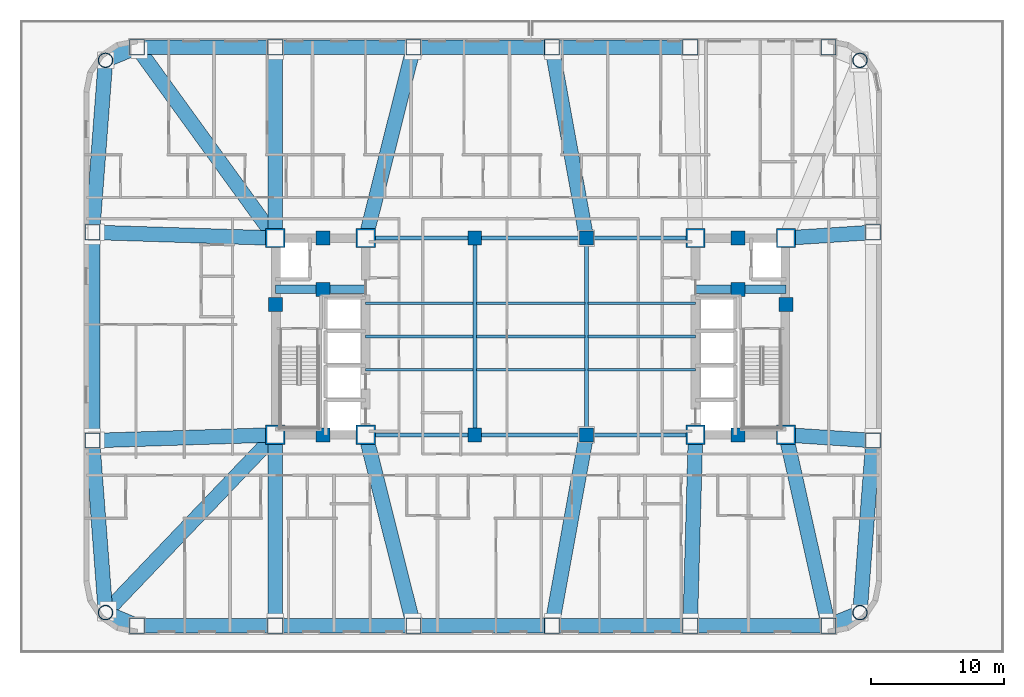
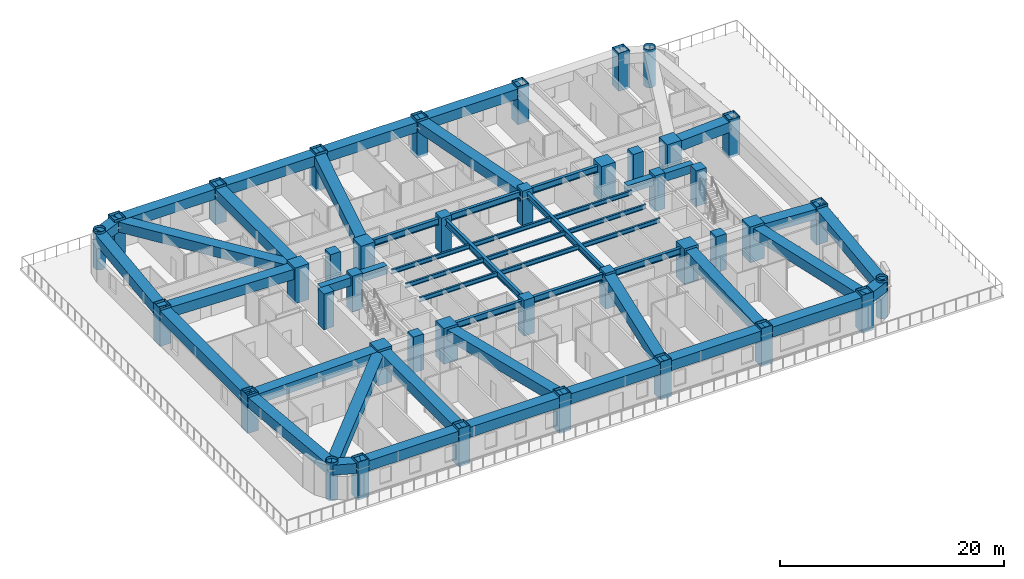
# One storey, part 1 of 15: 49 beams, 40 columns.
"""IFC4 building model written with IfcOpenShell, lengths in metres."""

from ifc_helpers import new_model, si_unit, direction, frame, origin, origin_2d, place, context, subcontext, project, spatial, rectangle, hollow_rectangle, hollow_circle, i_section, extrude, material, material_profile, profile_set, type_object, element, save


model = new_model("IFC4")

# Units and contexts
model_context = context("Model", 3, precision=1e-05, world=origin(), true_north=direction((0.0, 1.0)))
body_context = subcontext(model_context, "Body", "Model", "MODEL_VIEW")
ifc_project = project(units=[si_unit("LENGTHUNIT", "METRE"), si_unit("AREAUNIT", "SQUARE_METRE"), si_unit("VOLUMEUNIT", "CUBIC_METRE"), si_unit("PLANEANGLEUNIT", "RADIAN"), si_unit("MASSUNIT", "GRAM", prefix="KILO")], contexts=[model_context])

# Site, building, storey
site_placement = place(None, origin())
site = spatial("IfcSite", under=ifc_project, at=site_placement, CompositionType="ELEMENT")
building_placement = place(site_placement, origin())
building = spatial("IfcBuilding", under=site, at=building_placement, Name="Voryun Gate Residences", CompositionType="ELEMENT")
storey_placement = place(building_placement, frame((0.0, 0.0, 26.0)))
storey = spatial("IfcBuildingStorey", under=building, at=storey_placement, Name="L05", CompositionType="ELEMENT", Elevation=26.0)

# Columns
ifc_material_1 = material(Name="Concrete C50/60", Category="concrete")
ifc_material_profile_1 = material_profile(ifc_material_1, rectangle(XDim=1.050048828125, YDim=1.050048828125, at=origin_2d()), Name="RC-1050x1050")
ifc_profile_set_1 = profile_set([ifc_material_profile_1], Name="Concrete C50/60")
column_type_1 = type_object("IfcColumnType", Name="COL_CORE_1050", PredefinedType="COLUMN", material=ifc_profile_set_1)
for number, where, z_axis, x_axis, name in (
    (1, (-19.199951171875, 2.39990234375, 0.0), (0.0, 0.0, 1.0), (1.0, 0.0, 0.0), "L05 Core boundary column WC-MW"),
    (2, (-15.60009765625, -7.39990234375, 0.0), (0.0, 0.0, 1.0), (1.0, 0.0, 0.0), "L05 Core boundary column WC-SM"),
    (3, (-15.60009765625, 7.39990234375, 0.0), (0.0, 0.0, 1.0), (1.0, 0.0, 0.0), "L05 Core boundary column WC-NM"),
    (4, (-15.60009765625, 3.550048828125, 0.0), (0.0, 0.0, 1.0), (1.0, 0.0, 0.0), "L05 Core boundary column WC-MM"),
    (5, (15.60009765625, 3.550048828125, 0.0), (0.0, 0.0, 1.0), (1.0, 0.0, 0.0), "L05 Core boundary column EC-MM"),
    (6, (15.60009765625, -7.39990234375, 0.0), (0.0, 0.0, 1.0), (1.0, 0.0, 0.0), "L05 Core boundary column EC-SM"),
    (7, (15.60009765625, 7.39990234375, 0.0), (0.0, 0.0, 1.0), (1.0, 0.0, 0.0), "L05 Core boundary column EC-NM"),
    (8, (19.199951171875, 2.39990234375, 0.0), (0.0, 0.0, 1.0), (1.0, 0.0, 0.0), "L05 Core boundary column EC-ME"),
    (9, (-4.199951171875, -7.39990234375, 0.0), (0.0, 0.0, 1.0), (1.0, 0.0, 0.0), "L05 Interior spine column SP-WS"),
    (10, (-4.199951171875, 7.39990234375, 0.0), (0.0, 0.0, 1.0), (1.0, 0.0, 0.0), "L05 Interior spine column SP-WN"),
    (11, (4.199951171875, -7.39990234375, 0.0), (0.0, 0.0, 1.0), (1.0, 0.0, 0.0), "L05 Interior spine column SP-ES"),
    (12, (4.199951171875, 7.39990234375, 0.0), (0.0, 0.0, 1.0), (1.0, 0.0, 0.0), "L05 Interior spine column SP-EN"),
):
    element("IfcColumn", number, at=place(storey_placement, frame(where, z_axis=z_axis, x_axis=x_axis)), inside=storey, type_object=column_type_1, Name=name, PredefinedType="COLUMN", context=body_context, shape_type="SweptSolid", body=[
        extrude(rectangle(XDim=1.050048828125, YDim=1.050048828125, at=origin_2d()), origin(), (0.0, 0.0, 1.0), 3.89990234375),
    ])
ifc_material_2 = material(Name="Steel SM420", Category="steel")
ifc_material_profile_2 = material_profile(ifc_material_2, hollow_circle(Radius=0.550048828125, WallThickness=0.035888671875, at=origin_2d()), Name="CHS-1100x36")
ifc_profile_set_2 = profile_set([ifc_material_profile_2], Name="Steel SM420")
column_type_2 = type_object("IfcColumnType", Name="COL_CRN_1100", PredefinedType="COLUMN", material=ifc_profile_set_2)
for number, where, z_axis, x_axis, name in (
    (13, (24.768798828125, -20.768798828125, -0.25), (0.0, 0.0, 1.0), (1.0, 0.0, 0.0), "L05 Exoskeleton column CSE"),
    (14, (24.768798828125, 20.768798828125, -0.25), (0.0, 0.0, 1.0), (1.0, 0.0, 0.0), "L05 Exoskeleton column CNE"),
    (15, (-31.96875, 20.768798828125, -0.25), (0.0, 0.0, 1.0), (1.0, 0.0, 0.0), "L05 Exoskeleton column CNW"),
    (16, (-31.96875, -20.768798828125, -0.25), (0.0, 0.0, 1.0), (1.0, 0.0, 0.0), "L05 Exoskeleton column CSW"),
):
    element("IfcColumn", number, at=place(storey_placement, frame(where, z_axis=z_axis, x_axis=x_axis)), inside=storey, type_object=column_type_2, Name=name, PredefinedType="COLUMN", context=body_context, shape_type="SweptSolid", body=[
        extrude(hollow_circle(Radius=0.550048828125, WallThickness=0.035888671875, at=origin_2d()), origin(), (0.0, 0.0, 1.0), 4.14990234375),
    ])
ifc_material_3 = material(Name="Steel SM420", Category="steel")
ifc_material_profile_3 = material_profile(ifc_material_3, hollow_rectangle(XDim=1.14990234375, YDim=1.14990234375, WallThickness=0.0400390625, at=origin_2d()), Name="BOX-1150x1150x40")
ifc_profile_set_3 = profile_set([ifc_material_profile_3], Name="Steel SM420")
column_type_3 = type_object("IfcColumnType", Name="COL_EXO_B1", PredefinedType="COLUMN", material=ifc_profile_set_3)
for number, where, z_axis, x_axis, name in (
    (17, (-29.60009765625, -21.75, -0.25), (0.0, 0.0, 1.0), (1.0, 0.0, 0.0), "L05 Exoskeleton column S1"),
    (18, (-19.199951171875, -21.75, -0.25), (0.0, 0.0, 1.0), (1.0, 0.0, 0.0), "L05 Exoskeleton column S2"),
    (19, (-8.800048828125, -21.75, -0.25), (0.0, 0.0, 1.0), (1.0, 0.0, 0.0), "L05 Exoskeleton column S3"),
    (20, (1.60009765625, -21.75, -0.25), (0.0, 0.0, 1.0), (1.0, 0.0, 0.0), "L05 Exoskeleton column S4"),
    (21, (12.0, -21.75, -0.25), (0.0, 0.0, 1.0), (1.0, 0.0, 0.0), "L05 Exoskeleton column S5"),
    (22, (22.39990234375, -21.75, -0.25), (0.0, 0.0, 1.0), (1.0, 0.0, 0.0), "L05 Exoskeleton column S6"),
    (23, (25.75, -7.830078125, -0.25), (0.0, 0.0, 1.0), (1.0, 0.0, 0.0), "L05 Exoskeleton column E1"),
    (24, (25.75, 7.830078125, -0.25), (0.0, 0.0, 1.0), (1.0, 0.0, 0.0), "L05 Exoskeleton column E2"),
    (25, (22.39990234375, 21.75, -0.25), (0.0, 0.0, 1.0), (1.0, 0.0, 0.0), "L05 Exoskeleton column N1"),
    (26, (12.0, 21.75, -0.25), (0.0, 0.0, 1.0), (1.0, 0.0, 0.0), "L05 Exoskeleton column N2"),
    (27, (1.60009765625, 21.75, -0.25), (0.0, 0.0, 1.0), (1.0, 0.0, 0.0), "L05 Exoskeleton column N3"),
    (28, (-8.800048828125, 21.75, -0.25), (0.0, 0.0, 1.0), (1.0, 0.0, 0.0), "L05 Exoskeleton column N4"),
    (29, (-19.199951171875, 21.75, -0.25), (0.0, 0.0, 1.0), (1.0, 0.0, 0.0), "L05 Exoskeleton column N5"),
    (30, (-29.60009765625, 21.75, -0.25), (0.0, 0.0, 1.0), (1.0, 0.0, 0.0), "L05 Exoskeleton column N6"),
    (31, (-32.949951171875, 7.830078125, -0.25), (0.0, 0.0, 1.0), (1.0, 0.0, 0.0), "L05 Exoskeleton column W1"),
    (32, (-32.949951171875, -7.830078125, -0.25), (0.0, 0.0, 1.0), (1.0, 0.0, 0.0), "L05 Exoskeleton column W2"),
):
    element("IfcColumn", number, at=place(storey_placement, frame(where, z_axis=z_axis, x_axis=x_axis)), inside=storey, type_object=column_type_3, Name=name, PredefinedType="COLUMN", context=body_context, shape_type="SweptSolid", body=[
        extrude(hollow_rectangle(XDim=1.14990234375, YDim=1.14990234375, WallThickness=0.0400390625, at=origin_2d()), origin(), (0.0, 0.0, 1.0), 4.14990234375),
    ])
ifc_material_4 = material(Name="Concrete C60/75", Category="concrete")
ifc_material_profile_4 = material_profile(ifc_material_4, rectangle(XDim=1.449951171875, YDim=1.449951171875, at=origin_2d()), Name="RC-1450x1450")
ifc_profile_set_4 = profile_set([ifc_material_profile_4], Name="Concrete C60/75")
column_type_4 = type_object("IfcColumnType", Name="COL_MEGA_1450", PredefinedType="COLUMN", material=ifc_profile_set_4)
for number, where, z_axis, x_axis, name in (
    (33, (-19.199951171875, -7.39990234375, 0.0), (0.0, 0.0, 1.0), (1.0, 0.0, 0.0), "L05 Core boundary column WC-SW"),
    (34, (-19.199951171875, 7.39990234375, 0.0), (0.0, 0.0, 1.0), (1.0, 0.0, 0.0), "L05 Core boundary column WC-NW"),
    (35, (-12.39990234375, -7.39990234375, 0.0), (0.0, 0.0, 1.0), (1.0, 0.0, 0.0), "L05 Core boundary column WC-SE"),
    (36, (-12.39990234375, 7.39990234375, 0.0), (0.0, 0.0, 1.0), (1.0, 0.0, 0.0), "L05 Core boundary column WC-NE"),
    (37, (12.39990234375, -7.39990234375, 0.0), (0.0, 0.0, 1.0), (1.0, 0.0, 0.0), "L05 Core boundary column EC-SW"),
    (38, (12.39990234375, 7.39990234375, 0.0), (0.0, 0.0, 1.0), (1.0, 0.0, 0.0), "L05 Core boundary column EC-NW"),
    (39, (19.199951171875, -7.39990234375, 0.0), (0.0, 0.0, 1.0), (1.0, 0.0, 0.0), "L05 Core boundary column EC-SE"),
    (40, (19.199951171875, 7.39990234375, 0.0), (0.0, 0.0, 1.0), (1.0, 0.0, 0.0), "L05 Core boundary column EC-NE"),
):
    element("IfcColumn", number, at=place(storey_placement, frame(where, z_axis=z_axis, x_axis=x_axis)), inside=storey, type_object=column_type_4, Name=name, PredefinedType="COLUMN", context=body_context, shape_type="SweptSolid", body=[
        extrude(rectangle(XDim=1.449951171875, YDim=1.449951171875, at=origin_2d()), origin(), (0.0, 0.0, 1.0), 3.89990234375),
    ])

# Beams
ifc_material_5 = material(Name="Steel SM420", Category="steel")
ifc_material_profile_5 = material_profile(ifc_material_5, hollow_rectangle(XDim=1.10009765625, YDim=1.10009765625, WallThickness=0.035888671875, at=origin_2d()), Name="BOX-1100x1100x36")
ifc_profile_set_5 = profile_set([ifc_material_profile_5], Name="Steel SM420")
beam_type_1 = type_object("IfcBeamType", Name="BM_ARCH_RIB", PredefinedType="USERDEFINED", material=ifc_profile_set_5)
beam_1_placement = place(storey_placement, frame((-29.60009765625, -21.75, 3.10009765625), z_axis=(1.0, 0.0, 0.0), x_axis=(0.0, 1.0, 0.0)))
element("IfcBeam", 41, at=beam_1_placement, inside=storey, type_object=beam_type_1, Name="BM-L05-SPAND-01", ObjectType="GIRDER", PredefinedType="USERDEFINED", context=body_context, shape_type="SweptSolid", body=[
    extrude(hollow_rectangle(XDim=1.10009765625, YDim=1.10009765625, WallThickness=0.035888671875, at=origin_2d()), origin(), (0.0, 0.0, 1.0), 10.400146484375),
])
beam_2_placement = place(storey_placement, frame((-19.199951171875, -21.75, 3.10009765625), z_axis=(1.0, 0.0, 0.0), x_axis=(0.0, 1.0, 0.0)))
element("IfcBeam", 42, at=beam_2_placement, inside=storey, type_object=beam_type_1, Name="BM-L05-SPAND-02", ObjectType="GIRDER", PredefinedType="USERDEFINED", context=body_context, shape_type="SweptSolid", body=[
    extrude(hollow_rectangle(XDim=1.10009765625, YDim=1.10009765625, WallThickness=0.035888671875, at=origin_2d()), origin(), (0.0, 0.0, 1.0), 10.39990234375),
])
beam_3_placement = place(storey_placement, frame((-8.800048828125, -21.75, 3.10009765625), z_axis=(1.0, 0.0, 0.0), x_axis=(0.0, 1.0, 0.0)))
element("IfcBeam", 43, at=beam_3_placement, inside=storey, type_object=beam_type_1, Name="BM-L05-SPAND-03", ObjectType="GIRDER", PredefinedType="USERDEFINED", context=body_context, shape_type="SweptSolid", body=[
    extrude(hollow_rectangle(XDim=1.10009765625, YDim=1.10009765625, WallThickness=0.035888671875, at=origin_2d()), origin(), (0.0, 0.0, 1.0), 10.400146484375),
])
for number, where, z_axis, x_axis, name in (
    (44, (1.60009765625, -21.75, 3.10009765625), (1.0, 0.0, 0.0), (0.0, 1.0, 0.0), "BM-L05-SPAND-04"),
    (45, (12.0, -21.75, 3.10009765625), (1.0, 0.0, 0.0), (0.0, 1.0, 0.0), "BM-L05-SPAND-05"),
):
    element("IfcBeam", number, at=place(storey_placement, frame(where, z_axis=z_axis, x_axis=x_axis)), inside=storey, type_object=beam_type_1, Name=name, ObjectType="GIRDER", PredefinedType="USERDEFINED", context=body_context, shape_type="SweptSolid", body=[
        extrude(hollow_rectangle(XDim=1.10009765625, YDim=1.10009765625, WallThickness=0.035888671875, at=origin_2d()), origin(), (0.0, 0.0, 1.0), 10.39990234375),
    ])
beam_4_placement = place(storey_placement, frame((22.39990234375, -21.75, 3.10009765625), z_axis=(0.923883376753, 0.382674151414, 0.0), x_axis=(-0.382674151414, 0.923883376753, 0.0)))
element("IfcBeam", 46, at=beam_4_placement, inside=storey, type_object=beam_type_1, Name="BM-L05-SPAND-06", ObjectType="GIRDER", PredefinedType="USERDEFINED", context=body_context, shape_type="SweptSolid", body=[
    extrude(hollow_rectangle(XDim=1.10009765625, YDim=1.10009765625, WallThickness=0.035888671875, at=origin_2d()), origin(), (0.0, 0.0, 1.0), 2.56396484375),
])
beam_5_placement = place(storey_placement, frame((24.768798828125, -20.768798828125, 3.10009765625), z_axis=(0.075617360159, 0.997136908776, 0.0), x_axis=(-0.997136908776, 0.075617360159, 0.0)))
element("IfcBeam", 47, at=beam_5_placement, inside=storey, type_object=beam_type_1, Name="BM-L05-SPAND-07", ObjectType="GIRDER", PredefinedType="USERDEFINED", context=body_context, shape_type="SweptSolid", body=[
    extrude(hollow_rectangle(XDim=1.10009765625, YDim=1.10009765625, WallThickness=0.035888671875, at=origin_2d()), origin(), (0.0, 0.0, 1.0), 12.975830078125),
])
beam_6_placement = place(storey_placement, frame((12.0, 21.75, 3.10009765625), z_axis=(-1.0, 0.0, 0.0), x_axis=(0.0, -1.0, 0.0)))
element("IfcBeam", 48, at=beam_6_placement, inside=storey, type_object=beam_type_1, Name="BM-L05-SPAND-12", ObjectType="GIRDER", PredefinedType="USERDEFINED", context=body_context, shape_type="SweptSolid", body=[
    extrude(hollow_rectangle(XDim=1.10009765625, YDim=1.10009765625, WallThickness=0.035888671875, at=origin_2d()), origin(), (0.0, 0.0, 1.0), 10.39990234375),
])
beam_7_placement = place(storey_placement, frame((1.60009765625, 21.75, 3.10009765625), z_axis=(-1.0, 0.0, 0.0), x_axis=(0.0, -1.0, 0.0)))
element("IfcBeam", 49, at=beam_7_placement, inside=storey, type_object=beam_type_1, Name="BM-L05-SPAND-13", ObjectType="GIRDER", PredefinedType="USERDEFINED", context=body_context, shape_type="SweptSolid", body=[
    extrude(hollow_rectangle(XDim=1.10009765625, YDim=1.10009765625, WallThickness=0.035888671875, at=origin_2d()), origin(), (0.0, 0.0, 1.0), 10.400146484375),
])
beam_8_placement = place(storey_placement, frame((-8.800048828125, 21.75, 3.10009765625), z_axis=(-1.0, 0.0, 0.0), x_axis=(0.0, -1.0, 0.0)))
element("IfcBeam", 50, at=beam_8_placement, inside=storey, type_object=beam_type_1, Name="BM-L05-SPAND-14", ObjectType="GIRDER", PredefinedType="USERDEFINED", context=body_context, shape_type="SweptSolid", body=[
    extrude(hollow_rectangle(XDim=1.10009765625, YDim=1.10009765625, WallThickness=0.035888671875, at=origin_2d()), origin(), (0.0, 0.0, 1.0), 10.39990234375),
])
beam_9_placement = place(storey_placement, frame((-19.199951171875, 21.75, 3.10009765625), z_axis=(-1.0, 0.0, 0.0), x_axis=(0.0, -1.0, 0.0)))
element("IfcBeam", 51, at=beam_9_placement, inside=storey, type_object=beam_type_1, Name="BM-L05-SPAND-15", ObjectType="GIRDER", PredefinedType="USERDEFINED", context=body_context, shape_type="SweptSolid", body=[
    extrude(hollow_rectangle(XDim=1.10009765625, YDim=1.10009765625, WallThickness=0.035888671875, at=origin_2d()), origin(), (0.0, 0.0, 1.0), 10.400146484375),
])
beam_10_placement = place(storey_placement, frame((-29.60009765625, 21.75, 3.10009765625), z_axis=(-0.92386943149, -0.382707817477, 0.0), x_axis=(0.382707817477, -0.92386943149, 0.0)))
element("IfcBeam", 52, at=beam_10_placement, inside=storey, type_object=beam_type_1, Name="BM-L05-SPAND-16", ObjectType="GIRDER", PredefinedType="USERDEFINED", context=body_context, shape_type="SweptSolid", body=[
    extrude(hollow_rectangle(XDim=1.10009765625, YDim=1.10009765625, WallThickness=0.035888671875, at=origin_2d()), origin(), (0.0, 0.0, 1.0), 2.563720703125),
])
beam_11_placement = place(storey_placement, frame((-31.96875, 20.768798828125, 3.10009765625), z_axis=(-0.075617360159, -0.997136908776, 0.0), x_axis=(0.997136908776, -0.075617360159, 0.0)))
element("IfcBeam", 53, at=beam_11_placement, inside=storey, type_object=beam_type_1, Name="BM-L05-SPAND-17", ObjectType="GIRDER", PredefinedType="USERDEFINED", context=body_context, shape_type="SweptSolid", body=[
    extrude(hollow_rectangle(XDim=1.10009765625, YDim=1.10009765625, WallThickness=0.035888671875, at=origin_2d()), origin(), (0.0, 0.0, 1.0), 12.975830078125),
])
beam_12_placement = place(storey_placement, frame((-32.949951171875, 7.530029296875, 3.10009765625), z_axis=(0.0, -1.0, 0.0), x_axis=(1.0, 0.0, 0.0)))
element("IfcBeam", 54, at=beam_12_placement, inside=storey, type_object=beam_type_1, Name="BM-L05-SPAND-18", ObjectType="GIRDER", PredefinedType="USERDEFINED", context=body_context, shape_type="SweptSolid", body=[
    extrude(hollow_rectangle(XDim=1.10009765625, YDim=1.10009765625, WallThickness=0.035888671875, at=origin_2d()), origin(), (0.0, 0.0, 1.0), 15.06005859375),
])
beam_13_placement = place(storey_placement, frame((-32.949951171875, -7.830078125, 3.10009765625), z_axis=(0.075617360159, -0.997136908776, 0.0), x_axis=(0.997136908776, 0.075617360159, 0.0)))
element("IfcBeam", 55, at=beam_13_placement, inside=storey, type_object=beam_type_1, Name="BM-L05-SPAND-19", ObjectType="GIRDER", PredefinedType="USERDEFINED", context=body_context, shape_type="SweptSolid", body=[
    extrude(hollow_rectangle(XDim=1.10009765625, YDim=1.10009765625, WallThickness=0.035888671875, at=origin_2d()), origin(), (0.0, 0.0, 1.0), 12.975830078125),
])
beam_14_placement = place(storey_placement, frame((-31.96875, -20.768798828125, 3.10009765625), z_axis=(0.92386943149, -0.382707817477, 0.0), x_axis=(0.382707817477, 0.92386943149, 0.0)))
element("IfcBeam", 56, at=beam_14_placement, inside=storey, type_object=beam_type_1, Name="BM-L05-SPAND-20", ObjectType="GIRDER", PredefinedType="USERDEFINED", context=body_context, shape_type="SweptSolid", body=[
    extrude(hollow_rectangle(XDim=1.10009765625, YDim=1.10009765625, WallThickness=0.035888671875, at=origin_2d()), origin(), (0.0, 0.0, 1.0), 2.563720703125),
])
beam_15_placement = place(storey_placement, frame((-19.199951171875, -7.39990234375, 3.10009765625), z_axis=(0.0, -1.0, 0.0), x_axis=(1.0, 0.0, 0.0)))
element("IfcBeam", 57, at=beam_15_placement, inside=storey, type_object=beam_type_1, Name="BM-L05-RAD-S2", ObjectType="GIRDER", PredefinedType="USERDEFINED", context=body_context, shape_type="SweptSolid", body=[
    extrude(hollow_rectangle(XDim=1.10009765625, YDim=1.10009765625, WallThickness=0.035888671875, at=origin_2d()), origin(), (0.0, 0.0, 1.0), 14.050048828125),
])
beam_16_placement = place(storey_placement, frame((-12.39990234375, -7.39990234375, 3.10009765625), z_axis=(0.243320251576, -0.969946006318, 0.0), x_axis=(0.969946006318, 0.243320251576, 0.0)))
element("IfcBeam", 58, at=beam_16_placement, inside=storey, type_object=beam_type_1, Name="BM-L05-RAD-S3", ObjectType="GIRDER", PredefinedType="USERDEFINED", context=body_context, shape_type="SweptSolid", body=[
    extrude(hollow_rectangle(XDim=1.10009765625, YDim=1.10009765625, WallThickness=0.035888671875, at=origin_2d()), origin(), (0.0, 0.0, 1.0), 14.49462890625),
])
beam_17_placement = place(storey_placement, frame((4.199951171875, -7.39990234375, 3.10009765625), z_axis=(-0.178271724782, -0.983981296643, 0.0), x_axis=(0.983981296643, -0.178271724782, 0.0)))
element("IfcBeam", 59, at=beam_17_placement, inside=storey, type_object=beam_type_1, Name="BM-L05-RAD-S4", ObjectType="GIRDER", PredefinedType="USERDEFINED", context=body_context, shape_type="SweptSolid", body=[
    extrude(hollow_rectangle(XDim=1.10009765625, YDim=1.10009765625, WallThickness=0.035888671875, at=origin_2d()), origin(), (0.0, 0.0, 1.0), 14.28369140625),
])
beam_18_placement = place(storey_placement, frame((12.39990234375, -7.39990234375, 3.10009765625), z_axis=(-0.027860596984, -0.999611818225, 0.0), x_axis=(0.999611818225, -0.027860596984, 0.0)))
element("IfcBeam", 60, at=beam_18_placement, inside=storey, type_object=beam_type_1, Name="BM-L05-RAD-S5", ObjectType="GIRDER", PredefinedType="USERDEFINED", context=body_context, shape_type="SweptSolid", body=[
    extrude(hollow_rectangle(XDim=1.10009765625, YDim=1.10009765625, WallThickness=0.035888671875, at=origin_2d()), origin(), (0.0, 0.0, 1.0), 14.0556640625),
])
beam_19_placement = place(storey_placement, frame((19.199951171875, -7.39990234375, 3.10009765625), z_axis=(0.217651916462, -0.97602645623, 0.0), x_axis=(0.97602645623, 0.217651916462, 0.0)))
element("IfcBeam", 61, at=beam_19_placement, inside=storey, type_object=beam_type_1, Name="BM-L05-RAD-S6", ObjectType="GIRDER", PredefinedType="USERDEFINED", context=body_context, shape_type="SweptSolid", body=[
    extrude(hollow_rectangle(XDim=1.10009765625, YDim=1.10009765625, WallThickness=0.035888671875, at=origin_2d()), origin(), (0.0, 0.0, 1.0), 14.402587890625),
])
for number, where, z_axis, x_axis, name in (
    (62, (19.199951171875, -7.39990234375, 3.10009765625), (0.997850335415, -0.06553402255, 0.0), (0.06553402255, 0.997850335415, 0.0), "BM-L05-RAD-E1"),
    (63, (19.199951171875, 7.39990234375, 3.10009765625), (0.997850335415, 0.06553402255, 0.0), (-0.06553402255, 0.997850335415, 0.0), "BM-L05-RAD-E2"),
):
    element("IfcBeam", number, at=place(storey_placement, frame(where, z_axis=z_axis, x_axis=x_axis)), inside=storey, type_object=beam_type_1, Name=name, ObjectType="GIRDER", PredefinedType="USERDEFINED", context=body_context, shape_type="SweptSolid", body=[
        extrude(hollow_rectangle(XDim=1.10009765625, YDim=1.10009765625, WallThickness=0.035888671875, at=origin_2d()), origin(), (0.0, 0.0, 1.0), 6.564208984375),
    ])
beam_20_placement = place(storey_placement, frame((4.199951171875, 7.39990234375, 3.10009765625), z_axis=(-0.178271724782, 0.983981296643, 0.0), x_axis=(-0.983981296643, -0.178271724782, 0.0)))
element("IfcBeam", 64, at=beam_20_placement, inside=storey, type_object=beam_type_1, Name="BM-L05-RAD-N3", ObjectType="GIRDER", PredefinedType="USERDEFINED", context=body_context, shape_type="SweptSolid", body=[
    extrude(hollow_rectangle(XDim=1.10009765625, YDim=1.10009765625, WallThickness=0.035888671875, at=origin_2d()), origin(), (0.0, 0.0, 1.0), 14.28369140625),
])
beam_21_placement = place(storey_placement, frame((-12.39990234375, 7.39990234375, 3.10009765625), z_axis=(0.243320251576, 0.969946006318, 0.0), x_axis=(-0.969946006318, 0.243320251576, 0.0)))
element("IfcBeam", 65, at=beam_21_placement, inside=storey, type_object=beam_type_1, Name="BM-L05-RAD-N4", ObjectType="GIRDER", PredefinedType="USERDEFINED", context=body_context, shape_type="SweptSolid", body=[
    extrude(hollow_rectangle(XDim=1.10009765625, YDim=1.10009765625, WallThickness=0.035888671875, at=origin_2d()), origin(), (0.0, 0.0, 1.0), 14.49462890625),
])
beam_22_placement = place(storey_placement, frame((-19.199951171875, 7.39990234375, 3.10009765625), z_axis=(0.0, 1.0, 0.0), x_axis=(-1.0, 0.0, 0.0)))
element("IfcBeam", 66, at=beam_22_placement, inside=storey, type_object=beam_type_1, Name="BM-L05-RAD-N5", ObjectType="GIRDER", PredefinedType="USERDEFINED", context=body_context, shape_type="SweptSolid", body=[
    extrude(hollow_rectangle(XDim=1.10009765625, YDim=1.10009765625, WallThickness=0.035888671875, at=origin_2d()), origin(), (0.0, 0.0, 1.0), 14.050048828125),
])
beam_23_placement = place(storey_placement, frame((-19.199951171875, 7.39990234375, 3.10009765625), z_axis=(-0.586832772995, 0.809708155164, 0.0), x_axis=(-0.809708155164, -0.586832772995, 0.0)))
element("IfcBeam", 67, at=beam_23_placement, inside=storey, type_object=beam_type_1, Name="BM-L05-RAD-N6", ObjectType="GIRDER", PredefinedType="USERDEFINED", context=body_context, shape_type="SweptSolid", body=[
    extrude(hollow_rectangle(XDim=1.10009765625, YDim=1.10009765625, WallThickness=0.035888671875, at=origin_2d()), origin(), (0.0, 0.0, 1.0), 17.422607421875),
])
for number, where, z_axis, x_axis, name in (
    (68, (-19.199951171875, 7.39990234375, 3.10009765625), (-0.999511296973, 0.031259674085, 0.0), (-0.031259674085, -0.999511296973, 0.0), "BM-L05-RAD-W1"),
    (69, (-19.199951171875, -7.39990234375, 3.10009765625), (-0.999511296973, -0.031259674085, 0.0), (0.031259674085, -0.999511296973, 0.0), "BM-L05-RAD-W2"),
):
    element("IfcBeam", number, at=place(storey_placement, frame(where, z_axis=z_axis, x_axis=x_axis)), inside=storey, type_object=beam_type_1, Name=name, ObjectType="GIRDER", PredefinedType="USERDEFINED", context=body_context, shape_type="SweptSolid", body=[
        extrude(hollow_rectangle(XDim=1.10009765625, YDim=1.10009765625, WallThickness=0.035888671875, at=origin_2d()), origin(), (0.0, 0.0, 1.0), 13.456787109375),
    ])
beam_24_placement = place(storey_placement, frame((-19.199951171875, -7.39990234375, 3.10009765625), z_axis=(-0.69069122134, -0.723149802437, 0.0), x_axis=(0.723149802437, -0.69069122134, 0.0)))
element("IfcBeam", 70, at=beam_24_placement, inside=storey, type_object=beam_type_1, Name="BM-L05-RAD-CSW", ObjectType="GIRDER", PredefinedType="USERDEFINED", context=body_context, shape_type="SweptSolid", body=[
    extrude(hollow_rectangle(XDim=1.10009765625, YDim=1.10009765625, WallThickness=0.035888671875, at=origin_2d()), origin(), (0.0, 0.0, 1.0), 18.187255859375),
])
ifc_material_6 = material(Name="Concrete C60/75", Category="concrete")
ifc_material_profile_6 = material_profile(ifc_material_6, rectangle(XDim=0.64990234375, YDim=0.89990234375, at=origin_2d()), Name="RC-650x900")
ifc_profile_set_6 = profile_set([ifc_material_profile_6], Name="Concrete C60/75")
beam_type_2 = type_object("IfcBeamType", Name="BM_COUP_RC900", PredefinedType="LINTEL", material=ifc_profile_set_6)
for number, where, z_axis, x_axis, name in (
    (71, (-19.199951171875, 3.550048828125, 3.199951171875), (1.0, 0.0, 0.0), (0.0, 1.0, 0.0), "BM-L05-WC1"),
    (72, (12.39990234375, 3.550048828125, 3.199951171875), (1.0, 0.0, 0.0), (0.0, 1.0, 0.0), "BM-L05-EC1"),
):
    element("IfcBeam", number, at=place(storey_placement, frame(where, z_axis=z_axis, x_axis=x_axis)), inside=storey, type_object=beam_type_2, Name=name, PredefinedType="LINTEL", context=body_context, shape_type="SweptSolid", body=[
        extrude(rectangle(XDim=0.64990234375, YDim=0.89990234375, at=origin_2d()), origin(), (0.0, 0.0, 1.0), 6.800048828125),
    ])
ifc_material_7 = material(Name="Steel SM355", Category="steel")
ifc_material_profile_7 = material_profile(ifc_material_7, i_section(OverallWidth=0.300048828125, OverallDepth=0.699951171875, WebThickness=0.012939453125, FlangeThickness=0.02392578125, FilletRadius=0.01806640625, at=origin_2d()), Name="H-700x300x13x24")
ifc_profile_set_7 = profile_set([ifc_material_profile_7], Name="Steel SM355")
beam_type_3 = type_object("IfcBeamType", Name="BM_GIRD_700", PredefinedType="USERDEFINED", material=ifc_profile_set_7)
beam_25_placement = place(storey_placement, frame((-12.39990234375, -7.39990234375, 3.300048828125), z_axis=(1.0, 0.0, 0.0), x_axis=(0.0, 1.0, 0.0)))
element("IfcBeam", 73, at=beam_25_placement, inside=storey, type_object=beam_type_3, Name="BM-L05-SPG1-S", ObjectType="GIRDER", PredefinedType="USERDEFINED", context=body_context, shape_type="SweptSolid", body=[
    extrude(i_section(OverallWidth=0.300048828125, OverallDepth=0.699951171875, WebThickness=0.012939453125, FlangeThickness=0.02392578125, FilletRadius=0.01806640625, at=origin_2d()), origin(), (0.0, 0.0, 1.0), 8.199951171875),
])
beam_26_placement = place(storey_placement, frame((-4.199951171875, -7.39990234375, 3.300048828125), z_axis=(1.0, 0.0, 0.0), x_axis=(0.0, 1.0, 0.0)))
element("IfcBeam", 74, at=beam_26_placement, inside=storey, type_object=beam_type_3, Name="BM-L05-SPG2-S", ObjectType="GIRDER", PredefinedType="USERDEFINED", context=body_context, shape_type="SweptSolid", body=[
    extrude(i_section(OverallWidth=0.300048828125, OverallDepth=0.699951171875, WebThickness=0.012939453125, FlangeThickness=0.02392578125, FilletRadius=0.01806640625, at=origin_2d()), origin(), (0.0, 0.0, 1.0), 8.39990234375),
])
for number, where, z_axis, x_axis, name in (
    (75, (4.199951171875, -7.39990234375, 3.300048828125), (1.0, 0.0, 0.0), (0.0, 1.0, 0.0), "BM-L05-SPG3-S"),
    (76, (-12.39990234375, 7.39990234375, 3.300048828125), (1.0, 0.0, 0.0), (0.0, 1.0, 0.0), "BM-L05-SPG1-N"),
):
    element("IfcBeam", number, at=place(storey_placement, frame(where, z_axis=z_axis, x_axis=x_axis)), inside=storey, type_object=beam_type_3, Name=name, ObjectType="GIRDER", PredefinedType="USERDEFINED", context=body_context, shape_type="SweptSolid", body=[
        extrude(i_section(OverallWidth=0.300048828125, OverallDepth=0.699951171875, WebThickness=0.012939453125, FlangeThickness=0.02392578125, FilletRadius=0.01806640625, at=origin_2d()), origin(), (0.0, 0.0, 1.0), 8.199951171875),
    ])
beam_27_placement = place(storey_placement, frame((-4.199951171875, 7.39990234375, 3.300048828125), z_axis=(1.0, 0.0, 0.0), x_axis=(0.0, 1.0, 0.0)))
element("IfcBeam", 77, at=beam_27_placement, inside=storey, type_object=beam_type_3, Name="BM-L05-SPG2-N", ObjectType="GIRDER", PredefinedType="USERDEFINED", context=body_context, shape_type="SweptSolid", body=[
    extrude(i_section(OverallWidth=0.300048828125, OverallDepth=0.699951171875, WebThickness=0.012939453125, FlangeThickness=0.02392578125, FilletRadius=0.01806640625, at=origin_2d()), origin(), (0.0, 0.0, 1.0), 8.39990234375),
])
beam_28_placement = place(storey_placement, frame((4.199951171875, 7.39990234375, 3.300048828125), z_axis=(1.0, 0.0, 0.0), x_axis=(0.0, 1.0, 0.0)))
element("IfcBeam", 78, at=beam_28_placement, inside=storey, type_object=beam_type_3, Name="BM-L05-SPG3-N", ObjectType="GIRDER", PredefinedType="USERDEFINED", context=body_context, shape_type="SweptSolid", body=[
    extrude(i_section(OverallWidth=0.300048828125, OverallDepth=0.699951171875, WebThickness=0.012939453125, FlangeThickness=0.02392578125, FilletRadius=0.01806640625, at=origin_2d()), origin(), (0.0, 0.0, 1.0), 8.199951171875),
])
for number, where, z_axis, x_axis, name in (
    (79, (-4.199951171875, -7.39990234375, 3.300048828125), (0.0, 1.0, 0.0), (-1.0, 0.0, 0.0), "BM-L05-SPX-W"),
    (80, (4.199951171875, -7.39990234375, 3.300048828125), (0.0, 1.0, 0.0), (-1.0, 0.0, 0.0), "BM-L05-SPX-E"),
):
    element("IfcBeam", number, at=place(storey_placement, frame(where, z_axis=z_axis, x_axis=x_axis)), inside=storey, type_object=beam_type_3, Name=name, ObjectType="GIRDER", PredefinedType="USERDEFINED", context=body_context, shape_type="SweptSolid", body=[
        extrude(i_section(OverallWidth=0.300048828125, OverallDepth=0.699951171875, WebThickness=0.012939453125, FlangeThickness=0.02392578125, FilletRadius=0.01806640625, at=origin_2d()), origin(), (0.0, 0.0, 1.0), 14.7998046875),
    ])
ifc_material_8 = material(Name="Steel SM355", Category="steel")
ifc_material_profile_8 = material_profile(ifc_material_8, i_section(OverallWidth=0.199951171875, OverallDepth=0.47998046875, WebThickness=0.010009765625, FlangeThickness=0.01806640625, FilletRadius=0.01806640625, at=origin_2d()), Name="H-480x200x10x18")
ifc_profile_set_8 = profile_set([ifc_material_profile_8], Name="Steel SM355")
beam_type_4 = type_object("IfcBeamType", Name="BM_SEC_480", PredefinedType="BEAM", material=ifc_profile_set_8)
beam_29_placement = place(storey_placement, frame((-12.39990234375, -2.5, 3.409912109375), z_axis=(1.0, 0.0, 0.0), x_axis=(0.0, 1.0, 0.0)))
element("IfcBeam", 81, at=beam_29_placement, inside=storey, type_object=beam_type_4, Name="BM-L05-SEC-CS1", PredefinedType="BEAM", context=body_context, shape_type="SweptSolid", body=[
    extrude(i_section(OverallWidth=0.199951171875, OverallDepth=0.47998046875, WebThickness=0.010009765625, FlangeThickness=0.01806640625, FilletRadius=0.01806640625, at=origin_2d()), origin(), (0.0, 0.0, 1.0), 8.074951171875),
])
beam_30_placement = place(storey_placement, frame((-4.074951171875, -2.5, 3.409912109375), z_axis=(1.0, 0.0, 0.0), x_axis=(0.0, 1.0, 0.0)))
element("IfcBeam", 82, at=beam_30_placement, inside=storey, type_object=beam_type_4, Name="BM-L05-SEC-CS2", PredefinedType="BEAM", context=body_context, shape_type="SweptSolid", body=[
    extrude(i_section(OverallWidth=0.199951171875, OverallDepth=0.47998046875, WebThickness=0.010009765625, FlangeThickness=0.01806640625, FilletRadius=0.01806640625, at=origin_2d()), origin(), (0.0, 0.0, 1.0), 8.14990234375),
])
for number, where, z_axis, x_axis, name in (
    (83, (4.324951171875, -2.5, 3.409912109375), (1.0, 0.0, 0.0), (0.0, 1.0, 0.0), "BM-L05-SEC-CS3"),
    (84, (-12.39990234375, 0.0, 3.409912109375), (1.0, 0.0, 0.0), (0.0, 1.0, 0.0), "BM-L05-SEC-CM1"),
):
    element("IfcBeam", number, at=place(storey_placement, frame(where, z_axis=z_axis, x_axis=x_axis)), inside=storey, type_object=beam_type_4, Name=name, PredefinedType="BEAM", context=body_context, shape_type="SweptSolid", body=[
        extrude(i_section(OverallWidth=0.199951171875, OverallDepth=0.47998046875, WebThickness=0.010009765625, FlangeThickness=0.01806640625, FilletRadius=0.01806640625, at=origin_2d()), origin(), (0.0, 0.0, 1.0), 8.074951171875),
    ])
beam_31_placement = place(storey_placement, frame((-4.074951171875, 0.0, 3.409912109375), z_axis=(1.0, 0.0, 0.0), x_axis=(0.0, 1.0, 0.0)))
element("IfcBeam", 85, at=beam_31_placement, inside=storey, type_object=beam_type_4, Name="BM-L05-SEC-CM2", PredefinedType="BEAM", context=body_context, shape_type="SweptSolid", body=[
    extrude(i_section(OverallWidth=0.199951171875, OverallDepth=0.47998046875, WebThickness=0.010009765625, FlangeThickness=0.01806640625, FilletRadius=0.01806640625, at=origin_2d()), origin(), (0.0, 0.0, 1.0), 8.14990234375),
])
for number, where, z_axis, x_axis, name in (
    (86, (4.324951171875, 0.0, 3.409912109375), (1.0, 0.0, 0.0), (0.0, 1.0, 0.0), "BM-L05-SEC-CM3"),
    (87, (-12.39990234375, 2.5, 3.409912109375), (1.0, 0.0, 0.0), (0.0, 1.0, 0.0), "BM-L05-SEC-CN1"),
):
    element("IfcBeam", number, at=place(storey_placement, frame(where, z_axis=z_axis, x_axis=x_axis)), inside=storey, type_object=beam_type_4, Name=name, PredefinedType="BEAM", context=body_context, shape_type="SweptSolid", body=[
        extrude(i_section(OverallWidth=0.199951171875, OverallDepth=0.47998046875, WebThickness=0.010009765625, FlangeThickness=0.01806640625, FilletRadius=0.01806640625, at=origin_2d()), origin(), (0.0, 0.0, 1.0), 8.074951171875),
    ])
beam_32_placement = place(storey_placement, frame((-4.074951171875, 2.5, 3.409912109375), z_axis=(1.0, 0.0, 0.0), x_axis=(0.0, 1.0, 0.0)))
element("IfcBeam", 88, at=beam_32_placement, inside=storey, type_object=beam_type_4, Name="BM-L05-SEC-CN2", PredefinedType="BEAM", context=body_context, shape_type="SweptSolid", body=[
    extrude(i_section(OverallWidth=0.199951171875, OverallDepth=0.47998046875, WebThickness=0.010009765625, FlangeThickness=0.01806640625, FilletRadius=0.01806640625, at=origin_2d()), origin(), (0.0, 0.0, 1.0), 8.14990234375),
])
beam_33_placement = place(storey_placement, frame((4.324951171875, 2.5, 3.409912109375), z_axis=(1.0, 0.0, 0.0), x_axis=(0.0, 1.0, 0.0)))
element("IfcBeam", 89, at=beam_33_placement, inside=storey, type_object=beam_type_4, Name="BM-L05-SEC-CN3", PredefinedType="BEAM", context=body_context, shape_type="SweptSolid", body=[
    extrude(i_section(OverallWidth=0.199951171875, OverallDepth=0.47998046875, WebThickness=0.010009765625, FlangeThickness=0.01806640625, FilletRadius=0.01806640625, at=origin_2d()), origin(), (0.0, 0.0, 1.0), 8.074951171875),
])

save(model, "model.ifc")
